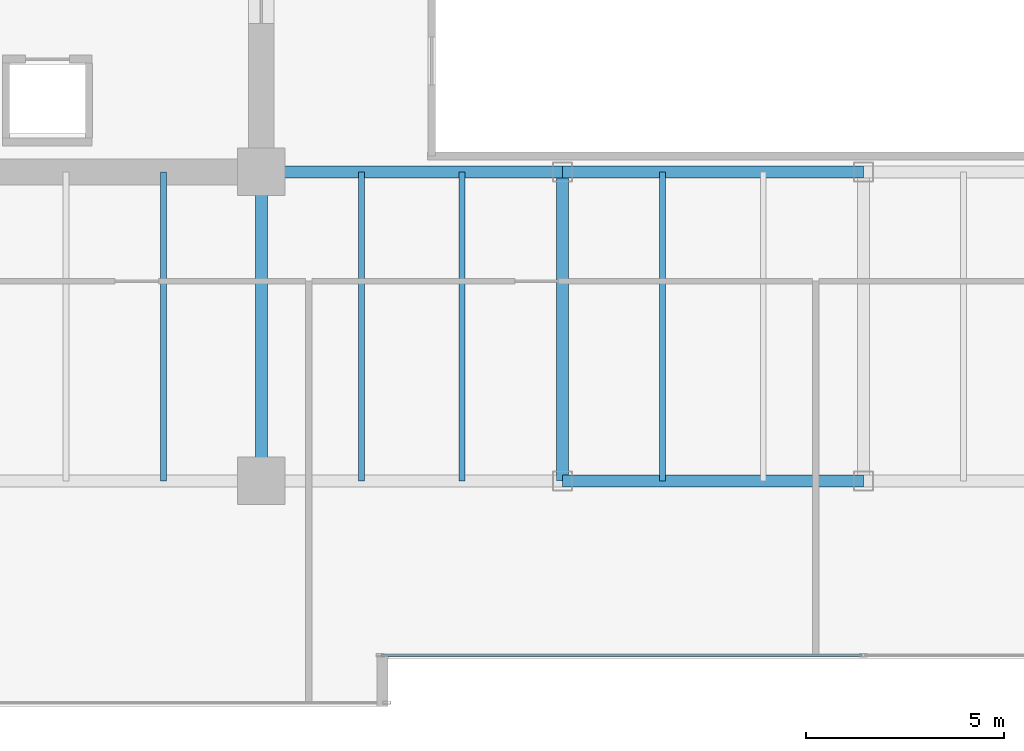
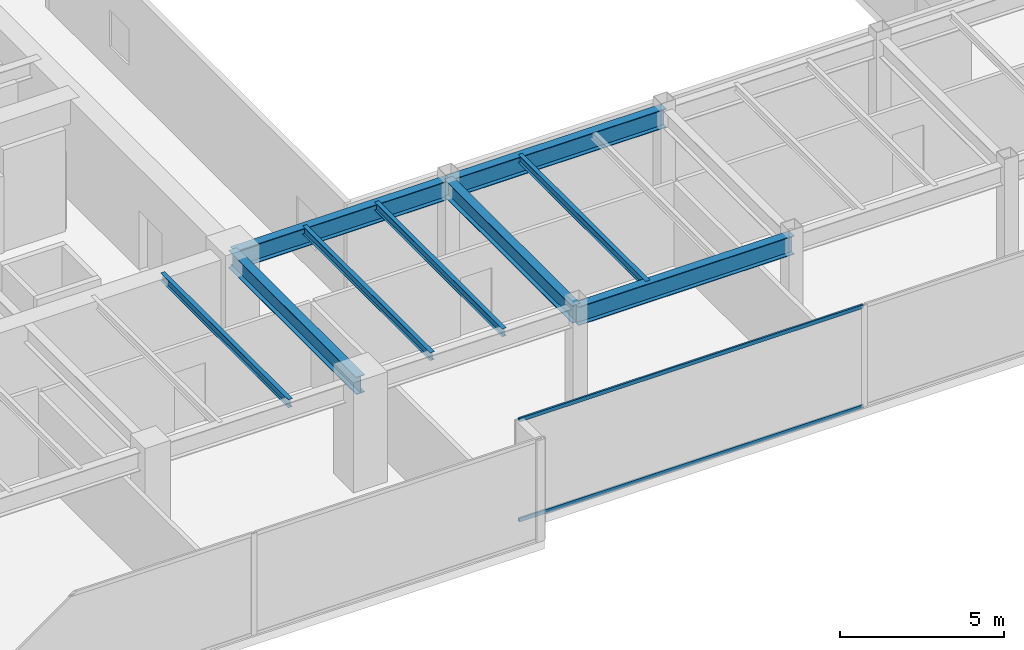
# One storey, part 5 of 30: 9 beams, 2 members, 1 element without a shape of its own.
"""IFC4 building model written with IfcOpenShell, lengths in metres."""

from ifc_helpers import new_model, si_unit, direction, frame, origin, origin_2d, place, context, subcontext, project, spatial, hollow_rectangle, i_section, extrude, source, transform, mapped, material, layer, layer_set, material_profile, profile_set, type_object, type_shapes, element, aggregate, save


model = new_model("IFC4")

# Units and contexts
model_context = context("Model", 3, precision=1e-05, world=origin(), true_north=direction((0.0, 1.0)))
body_context = subcontext(model_context, "Body", "Model", "MODEL_VIEW")
ifc_project = project(units=[si_unit("LENGTHUNIT", "METRE"), si_unit("AREAUNIT", "SQUARE_METRE"), si_unit("VOLUMEUNIT", "CUBIC_METRE"), si_unit("PLANEANGLEUNIT", "RADIAN"), si_unit("MASSUNIT", "GRAM", prefix="KILO")], contexts=[model_context])

# Site, building, storey
site_placement = place(None, origin())
site = spatial("IfcSite", under=ifc_project, at=site_placement, CompositionType="ELEMENT")
building_placement = place(site_placement, origin())
building = spatial("IfcBuilding", under=site, at=building_placement, Name="Haelvirn Gate Laboratories", CompositionType="ELEMENT")
storey_placement = place(building_placement, frame((0.0, 0.0, 129.699951171875)))
storey = spatial("IfcBuildingStorey", under=building, at=storey_placement, Name="L31", CompositionType="ELEMENT", Elevation=129.699951171875)

# Beams
ifc_material_1 = material(Name="Steel SM355", Category="steel")
ifc_material_profile_1 = material_profile(ifc_material_1, i_section(OverallWidth=0.300048828125, OverallDepth=0.64990234375, WebThickness=0.012939453125, FlangeThickness=0.02197265625, at=origin_2d()), Name="H-650x300x13x22")
ifc_profile_set_1 = profile_set([ifc_material_profile_1], Name="Steel SM355")
beam_type_1 = type_object("IfcBeamType", Name="BM-G-650", PredefinedType="BEAM", material=ifc_profile_set_1)
shared_shape_1 = source(origin(), body_context, "Body", "SweptSolid", [
    extrude(i_section(OverallWidth=0.300048828125, OverallDepth=0.64990234375, WebThickness=0.012939453125, FlangeThickness=0.02197265625, at=origin_2d()), origin(), (0.0, 0.0, 1.0), 7.800048828125),
])
type_shapes(beam_type_1, [shared_shape_1])
for number, where, z_axis, x_axis, name in (
    (1, (22.199951171875, 7.0, 3.465087890625), (0.0, 1.0, 0.0), (-1.0, 0.0, 0.0), "L31 Frame Girder X22.2 (7.0-14.8)"),
    (2, (29.800048828125, 7.0, 3.465087890625), (0.0, 1.0, 0.0), (-1.0, 0.0, 0.0), "L31 Frame Girder X29.8 (7.0-14.8)"),
):
    element("IfcBeam", number, at=place(storey_placement, frame(where, z_axis=z_axis, x_axis=x_axis)), inside=storey, type_object=beam_type_1, Name=name, PredefinedType="BEAM", context=body_context, shape_type="MappedRepresentation", body=[
        mapped(shared_shape_1, transform((0.0, 0.0, 0.0), scale=1.0)),
    ])
ifc_material_profile_2 = material_profile(ifc_material_1, i_section(OverallWidth=0.300048828125, OverallDepth=0.699951171875, WebThickness=0.012939453125, FlangeThickness=0.02392578125, at=origin_2d()), Name="H-700x300x13x24")
ifc_profile_set_2 = profile_set([ifc_material_profile_2], Name="Steel SM355")
beam_type_2 = type_object("IfcBeamType", Name="BM-G-700", PredefinedType="BEAM", material=ifc_profile_set_2)
shared_shape_2 = source(origin(), body_context, "Body", "SweptSolid", [
    extrude(i_section(OverallWidth=0.300048828125, OverallDepth=0.699951171875, WebThickness=0.012939453125, FlangeThickness=0.02392578125, at=origin_2d()), origin(), (0.0, 0.0, 1.0), 7.60009765625),
])
beam_placement = place(storey_placement, frame((22.199951171875, 14.800048828125, 3.43994140625), z_axis=(1.0, 0.0, 0.0), x_axis=(0.0, 1.0, 0.0)))
element("IfcBeam", 3, at=beam_placement, inside=storey, type_object=beam_type_2, Name="L31 Primary Girder Y14.8 (22.2-29.8)", PredefinedType="BEAM", context=body_context, shape_type="MappedRepresentation", body=[
    mapped(shared_shape_2, transform((0.0, 0.0, 0.0), scale=1.0)),
])
shared_shape_3 = source(origin(), body_context, "Body", "SweptSolid", [
    extrude(i_section(OverallWidth=0.300048828125, OverallDepth=0.699951171875, WebThickness=0.012939453125, FlangeThickness=0.02392578125, at=origin_2d()), origin(), (0.0, 0.0, 1.0), 7.599853515625),
])
type_shapes(beam_type_2, [shared_shape_2, shared_shape_3])
for number, where, z_axis, x_axis, name in (
    (4, (29.800048828125, 7.0, 3.43994140625), (1.0, 0.0, 0.0), (0.0, 1.0, 0.0), "L31 Primary Girder Y7.0 (29.8-37.4)"),
    (5, (29.800048828125, 14.800048828125, 3.43994140625), (1.0, 0.0, 0.0), (0.0, 1.0, 0.0), "L31 Primary Girder Y14.8 (29.8-37.4)"),
):
    element("IfcBeam", number, at=place(storey_placement, frame(where, z_axis=z_axis, x_axis=x_axis)), inside=storey, type_object=beam_type_2, Name=name, PredefinedType="BEAM", context=body_context, shape_type="MappedRepresentation", body=[
        mapped(shared_shape_3, transform((0.0, 0.0, 0.0), scale=1.0)),
    ])
ifc_material_profile_3 = material_profile(ifc_material_1, i_section(OverallWidth=0.14990234375, OverallDepth=0.300048828125, WebThickness=0.006591796875, FlangeThickness=0.009033203125, at=origin_2d()), Name="H-300x150x6.5x9")
ifc_profile_set_3 = profile_set([ifc_material_profile_3], Name="Steel SM355")
beam_type_3 = type_object("IfcBeamType", Name="BM-J-300", PredefinedType="JOIST", material=ifc_profile_set_3)
shared_shape_4 = source(origin(), body_context, "Body", "SweptSolid", [
    extrude(i_section(OverallWidth=0.14990234375, OverallDepth=0.300048828125, WebThickness=0.006591796875, FlangeThickness=0.009033203125, at=origin_2d()), origin(), (0.0, 0.0, 1.0), 7.800048828125),
])
type_shapes(beam_type_3, [shared_shape_4])
for number, where, z_axis, x_axis, name in (
    (6, (19.72998046875, 7.0, 3.64013671875), (0.0, 1.0, 0.0), (-1.0, 0.0, 0.0), "L31 Composite Lab Joist South X19.73"),
    (7, (24.72998046875, 7.0, 3.64013671875), (0.0, 1.0, 0.0), (-1.0, 0.0, 0.0), "L31 Composite Lab Joist South X24.73"),
    (8, (27.27001953125, 7.0, 3.64013671875), (0.0, 1.0, 0.0), (-1.0, 0.0, 0.0), "L31 Composite Lab Joist South X27.27"),
    (9, (32.330078125, 7.0, 3.64013671875), (0.0, 1.0, 0.0), (-1.0, 0.0, 0.0), "L31 Composite Lab Joist South X32.33"),
):
    element("IfcBeam", number, at=place(storey_placement, frame(where, z_axis=z_axis, x_axis=x_axis)), inside=storey, type_object=beam_type_3, Name=name, PredefinedType="JOIST", context=body_context, shape_type="MappedRepresentation", body=[
        mapped(shared_shape_4, transform((0.0, 0.0, 0.0), scale=1.0)),
    ])

# Curtain wall, members
ifc_material_2 = material(Name="Anodised bronze unitised aluminium & triple low-E glass", Category="aluminium")
ifc_layer = layer(ifc_material_2, 0.179931640625, Name="CW-SYS-3")
ifc_layer_set = layer_set([ifc_layer], Name="Anodised bronze unitised aluminium & triple low-E glass")
curtain_wall_type = type_object("IfcCurtainWallType", Name="CW-SYS-3", PredefinedType="NOTDEFINED", material=ifc_layer_set)
curtain_wall_placement = place(storey_placement, origin())
curtain_wall = element("IfcCurtainWall", 10, at=curtain_wall_placement, inside=storey, type_object=curtain_wall_type, Name="L31 Unitised Curtain Wall CW-L31-P0-E02-1", PredefinedType="NOTDEFINED")
ifc_material_3 = material(Name="Extruded aluminium 6063-T6 (anodised bronze)", Category="aluminium")
ifc_material_profile_4 = material_profile(ifc_material_3, hollow_rectangle(XDim=0.06494140625, YDim=0.139892578125, WallThickness=0.00390625, at=origin_2d()), Name="CWT-140x65x4")
ifc_profile_set_4 = profile_set([ifc_material_profile_4], Name="Extruded aluminium 6063-T6 (anodised bronze)")
member_type = type_object("IfcMemberType", Name="CWT-T140", PredefinedType="USERDEFINED", material=ifc_profile_set_4)
shared_shape_5 = source(origin(), body_context, "Body", "SweptSolid", [
    extrude(hollow_rectangle(XDim=0.06494140625, YDim=0.139892578125, WallThickness=0.00390625, at=origin_2d()), origin(), (0.0, 0.0, 1.0), 12.12744140625),
])
type_shapes(member_type, [shared_shape_5])
member_1_placement = place(storey_placement, frame((25.235107421875, 2.60009765625, 0.032470703125), z_axis=(1.0, 0.0, 0.0), x_axis=(0.0, 1.0, 0.0)))
member_1 = element("IfcMember", 11, at=member_1_placement, type_object=member_type, Name="CW3 transom 1.1", ObjectType="TRANSOM", PredefinedType="USERDEFINED", context=body_context, shape_type="MappedRepresentation", body=[
    mapped(shared_shape_5, transform((0.0, 0.0, 0.0), scale=1.0)),
])
member_2_placement = place(storey_placement, frame((25.235107421875, 2.60009765625, 3.757568359375), z_axis=(1.0, 0.0, 0.0), x_axis=(0.0, 1.0, 0.0)))
member_2 = element("IfcMember", 12, at=member_2_placement, type_object=member_type, Name="CW3 transom 1.2", ObjectType="TRANSOM", PredefinedType="USERDEFINED", context=body_context, shape_type="MappedRepresentation", body=[
    mapped(shared_shape_5, transform((0.0, 0.0, 0.0), scale=1.0)),
])
aggregate(curtain_wall, [member_1, member_2])

save(model, "model.ifc")
